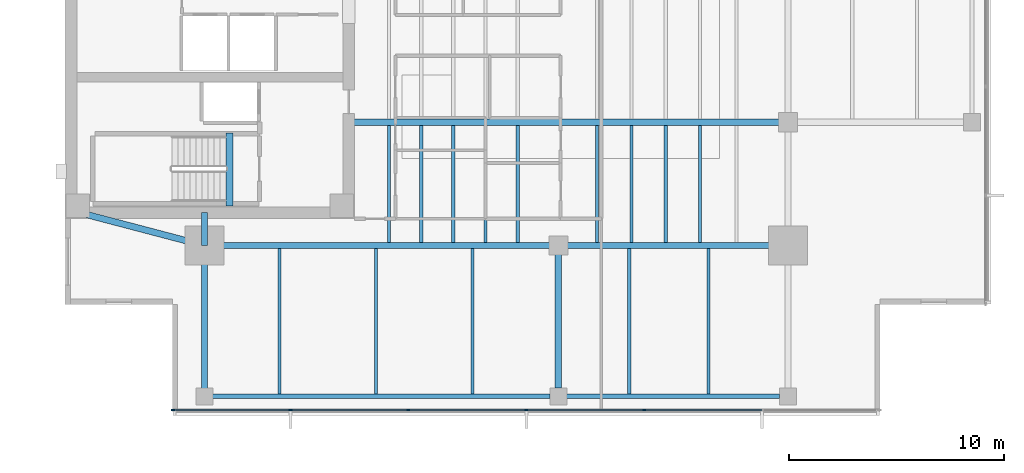
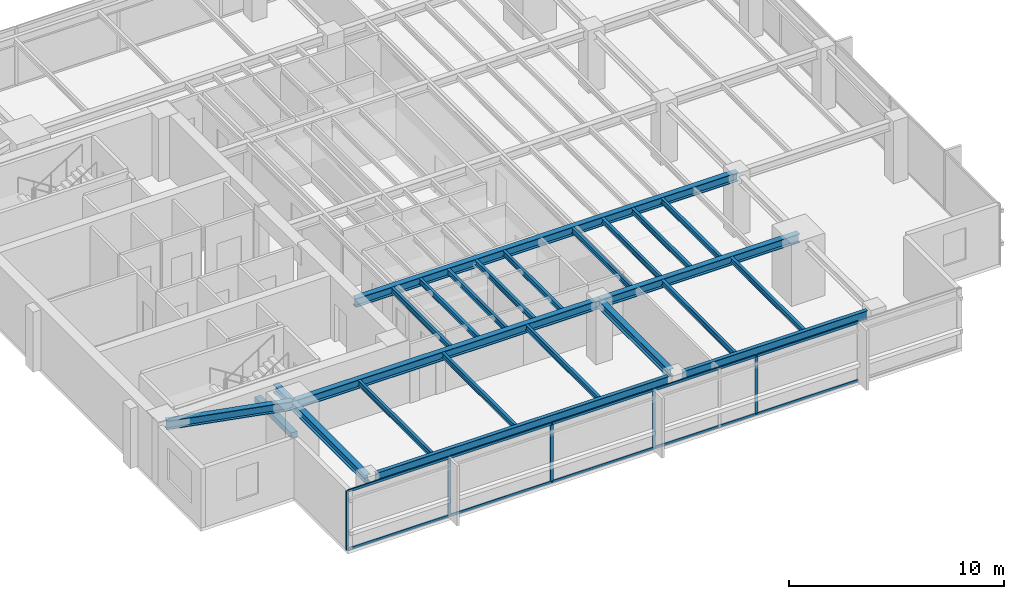
# One storey, part 2 of 14: 24 beams, 15 members, 1 element without a shape of its own.
"""IFC4 building model written with IfcOpenShell, lengths in metres."""

from ifc_helpers import new_model, si_unit, direction, frame, origin, origin_2d, place, context, subcontext, project, spatial, rectangle, i_section, extrude, material, layer, layer_set, material_profile, profile_set, type_object, element, aggregate, save


model = new_model("IFC4")

# Units and contexts
model_context = context("Model", 3, precision=1e-05, world=origin(), true_north=direction((0.0, 1.0)))
body_context = subcontext(model_context, "Body", "Model", "MODEL_VIEW")
ifc_project = project(units=[si_unit("LENGTHUNIT", "METRE"), si_unit("AREAUNIT", "SQUARE_METRE"), si_unit("VOLUMEUNIT", "CUBIC_METRE"), si_unit("PLANEANGLEUNIT", "RADIAN"), si_unit("MASSUNIT", "GRAM", prefix="KILO")], contexts=[model_context])

# Site, building, storey
site_placement = place(None, origin())
site = spatial("IfcSite", under=ifc_project, at=site_placement, CompositionType="ELEMENT")
building_placement = place(site_placement, origin())
building = spatial("IfcBuilding", under=site, at=building_placement, Name="Kinhvarn Gate Tower", CompositionType="ELEMENT")
storey_placement = place(building_placement, frame((0.0, 0.0, 198.699951171875)))
storey = spatial("IfcBuildingStorey", under=building, at=storey_placement, Name="L52", CompositionType="ELEMENT", Elevation=198.699951171875)

# Beam
ifc_material_1 = material(Name="Concrete C50/60", Category="concrete")
ifc_material_profile_1 = material_profile(ifc_material_1, rectangle(XDim=0.340087890625, YDim=0.320068359375, at=origin_2d()), Name="RC 340x320")
ifc_profile_set_1 = profile_set([ifc_material_profile_1], Name="Concrete C50/60")
beam_type_1 = type_object("IfcBeamType", Name="BM-LND-500", PredefinedType="BEAM", material=ifc_profile_set_1)
beam_1_placement = place(storey_placement, frame((12.1650390625, 14.60009765625, -0.159912109375), z_axis=(0.0, 1.0, 0.0), x_axis=(-1.0, 0.0, 0.0)))
element("IfcBeam", 1, at=beam_1_placement, inside=storey, type_object=beam_type_1, Name="Stair ST1 Landing Nosing Beam (L52)", PredefinedType="BEAM", context=body_context, shape_type="SweptSolid", body=[
    extrude(rectangle(XDim=0.340087890625, YDim=0.320068359375, at=origin_2d()), origin(), (0.0, 0.0, 1.0), 3.39990234375),
])

# Curtain wall, members
ifc_material_2 = material(Name="Anodised aluminium AW-6063", Category="aluminium")
ifc_layer = layer(ifc_material_2, 0.179931640625)
ifc_layer_set = layer_set([ifc_layer], Name="Anodised aluminium AW-6063")
curtain_wall_type = type_object("IfcCurtainWallType", Name="CW-SYS-3", PredefinedType="NOTDEFINED", material=ifc_layer_set)
curtain_wall_placement = place(storey_placement, origin())
curtain_wall = element("IfcCurtainWall", 2, at=curtain_wall_placement, inside=storey, type_object=curtain_wall_type, Name="Curtain Wall CW3 (L52)", PredefinedType="NOTDEFINED")
ifc_material_profile_2 = material_profile(ifc_material_2, rectangle(XDim=0.06494140625, YDim=0.159912109375, at=origin_2d()), Name="ALU 65x160")
ifc_profile_set_2 = profile_set([ifc_material_profile_2], Name="Anodised aluminium AW-6063")
member_type_1 = type_object("IfcMemberType", Name="CW-MUL-160", PredefinedType="MULLION", material=ifc_profile_set_2)
member_1_placement = place(storey_placement, frame((9.532470703125, 5.090087890625, 0.0), z_axis=(0.0, 0.0, 1.0), x_axis=(0.0, 1.0, 0.0)))
member_1 = element("IfcMember", 3, at=member_1_placement, type_object=member_type_1, Name="CW3 mullion 1", PredefinedType="MULLION", context=body_context, shape_type="SweptSolid", body=[
    extrude(rectangle(XDim=0.06494140625, YDim=0.159912109375, at=origin_2d()), origin(), (0.0, 0.0, 1.0), 3.3701171875),
])
member_2_placement = place(storey_placement, frame((15.0, 5.090087890625, 0.0), z_axis=(0.0, 0.0, 1.0), x_axis=(0.0, 1.0, 0.0)))
member_2 = element("IfcMember", 4, at=member_2_placement, type_object=member_type_1, Name="CW3 mullion 2", PredefinedType="MULLION", context=body_context, shape_type="SweptSolid", body=[
    extrude(rectangle(XDim=0.06494140625, YDim=0.159912109375, at=origin_2d()), origin(), (0.0, 0.0, 1.0), 3.3701171875),
])
member_3_placement = place(storey_placement, frame((20.5, 5.090087890625, 0.0), z_axis=(0.0, 0.0, 1.0), x_axis=(0.0, 1.0, 0.0)))
member_3 = element("IfcMember", 5, at=member_3_placement, type_object=member_type_1, Name="CW3 mullion 3", PredefinedType="MULLION", context=body_context, shape_type="SweptSolid", body=[
    extrude(rectangle(XDim=0.06494140625, YDim=0.159912109375, at=origin_2d()), origin(), (0.0, 0.0, 1.0), 3.3701171875),
])
member_4_placement = place(storey_placement, frame((26.0, 5.090087890625, 0.0), z_axis=(0.0, 0.0, 1.0), x_axis=(0.0, 1.0, 0.0)))
member_4 = element("IfcMember", 6, at=member_4_placement, type_object=member_type_1, Name="CW3 mullion 4", PredefinedType="MULLION", context=body_context, shape_type="SweptSolid", body=[
    extrude(rectangle(XDim=0.06494140625, YDim=0.159912109375, at=origin_2d()), origin(), (0.0, 0.0, 1.0), 3.3701171875),
])
member_5_placement = place(storey_placement, frame((31.5, 5.090087890625, 0.0), z_axis=(0.0, 0.0, 1.0), x_axis=(0.0, 1.0, 0.0)))
member_5 = element("IfcMember", 7, at=member_5_placement, type_object=member_type_1, Name="CW3 mullion 5", PredefinedType="MULLION", context=body_context, shape_type="SweptSolid", body=[
    extrude(rectangle(XDim=0.06494140625, YDim=0.159912109375, at=origin_2d()), origin(), (0.0, 0.0, 1.0), 3.3701171875),
])
ifc_material_profile_3 = material_profile(ifc_material_2, rectangle(XDim=0.070068359375, YDim=0.139892578125, at=origin_2d()), Name="ALU 70x140")
ifc_profile_set_3 = profile_set([ifc_material_profile_3], Name="Anodised aluminium AW-6063")
member_type_2 = type_object("IfcMemberType", Name="CW-TRN-140", PredefinedType="USERDEFINED", material=ifc_profile_set_3)
member_6_placement = place(storey_placement, frame((9.56494140625, 5.090087890625, 0.03515625), z_axis=(1.0, 0.0, 0.0), x_axis=(0.0, 1.0, 0.0)))
member_6 = element("IfcMember", 8, at=member_6_placement, type_object=member_type_2, Name="CW3 transom 1.1", ObjectType="TRANSOM", PredefinedType="USERDEFINED", context=body_context, shape_type="SweptSolid", body=[
    extrude(rectangle(XDim=0.070068359375, YDim=0.139892578125, at=origin_2d()), origin(), (0.0, 0.0, 1.0), 5.402587890625),
])
member_7_placement = place(storey_placement, frame((9.56494140625, 5.090087890625, 3.3349609375), z_axis=(1.0, 0.0, 0.0), x_axis=(0.0, 1.0, 0.0)))
member_7 = element("IfcMember", 9, at=member_7_placement, type_object=member_type_2, Name="CW3 transom 1.2", ObjectType="TRANSOM", PredefinedType="USERDEFINED", context=body_context, shape_type="SweptSolid", body=[
    extrude(rectangle(XDim=0.070068359375, YDim=0.139892578125, at=origin_2d()), origin(), (0.0, 0.0, 1.0), 5.402587890625),
])
member_8_placement = place(storey_placement, frame((15.032470703125, 5.090087890625, 0.03515625), z_axis=(1.0, 0.0, 0.0), x_axis=(0.0, 1.0, 0.0)))
member_8 = element("IfcMember", 10, at=member_8_placement, type_object=member_type_2, Name="CW3 transom 2.1", ObjectType="TRANSOM", PredefinedType="USERDEFINED", context=body_context, shape_type="SweptSolid", body=[
    extrude(rectangle(XDim=0.070068359375, YDim=0.139892578125, at=origin_2d()), origin(), (0.0, 0.0, 1.0), 5.43505859375),
])
member_9_placement = place(storey_placement, frame((15.032470703125, 5.090087890625, 3.3349609375), z_axis=(1.0, 0.0, 0.0), x_axis=(0.0, 1.0, 0.0)))
member_9 = element("IfcMember", 11, at=member_9_placement, type_object=member_type_2, Name="CW3 transom 2.2", ObjectType="TRANSOM", PredefinedType="USERDEFINED", context=body_context, shape_type="SweptSolid", body=[
    extrude(rectangle(XDim=0.070068359375, YDim=0.139892578125, at=origin_2d()), origin(), (0.0, 0.0, 1.0), 5.43505859375),
])
member_10_placement = place(storey_placement, frame((20.532470703125, 5.090087890625, 0.03515625), z_axis=(1.0, 0.0, 0.0), x_axis=(0.0, 1.0, 0.0)))
member_10 = element("IfcMember", 12, at=member_10_placement, type_object=member_type_2, Name="CW3 transom 3.1", ObjectType="TRANSOM", PredefinedType="USERDEFINED", context=body_context, shape_type="SweptSolid", body=[
    extrude(rectangle(XDim=0.070068359375, YDim=0.139892578125, at=origin_2d()), origin(), (0.0, 0.0, 1.0), 5.43505859375),
])
member_11_placement = place(storey_placement, frame((20.532470703125, 5.090087890625, 3.3349609375), z_axis=(1.0, 0.0, 0.0), x_axis=(0.0, 1.0, 0.0)))
member_11 = element("IfcMember", 13, at=member_11_placement, type_object=member_type_2, Name="CW3 transom 3.2", ObjectType="TRANSOM", PredefinedType="USERDEFINED", context=body_context, shape_type="SweptSolid", body=[
    extrude(rectangle(XDim=0.070068359375, YDim=0.139892578125, at=origin_2d()), origin(), (0.0, 0.0, 1.0), 5.43505859375),
])
member_12_placement = place(storey_placement, frame((26.032470703125, 5.090087890625, 0.03515625), z_axis=(1.0, 0.0, 0.0), x_axis=(0.0, 1.0, 0.0)))
member_12 = element("IfcMember", 14, at=member_12_placement, type_object=member_type_2, Name="CW3 transom 4.1", ObjectType="TRANSOM", PredefinedType="USERDEFINED", context=body_context, shape_type="SweptSolid", body=[
    extrude(rectangle(XDim=0.070068359375, YDim=0.139892578125, at=origin_2d()), origin(), (0.0, 0.0, 1.0), 5.43505859375),
])
member_13_placement = place(storey_placement, frame((26.032470703125, 5.090087890625, 3.3349609375), z_axis=(1.0, 0.0, 0.0), x_axis=(0.0, 1.0, 0.0)))
member_13 = element("IfcMember", 15, at=member_13_placement, type_object=member_type_2, Name="CW3 transom 4.2", ObjectType="TRANSOM", PredefinedType="USERDEFINED", context=body_context, shape_type="SweptSolid", body=[
    extrude(rectangle(XDim=0.070068359375, YDim=0.139892578125, at=origin_2d()), origin(), (0.0, 0.0, 1.0), 5.43505859375),
])
member_14_placement = place(storey_placement, frame((31.532470703125, 5.090087890625, 0.03515625), z_axis=(1.0, 0.0, 0.0), x_axis=(0.0, 1.0, 0.0)))
member_14 = element("IfcMember", 16, at=member_14_placement, type_object=member_type_2, Name="CW3 transom 5.1", ObjectType="TRANSOM", PredefinedType="USERDEFINED", context=body_context, shape_type="SweptSolid", body=[
    extrude(rectangle(XDim=0.070068359375, YDim=0.139892578125, at=origin_2d()), origin(), (0.0, 0.0, 1.0), 5.43505859375),
])
member_15_placement = place(storey_placement, frame((31.532470703125, 5.090087890625, 3.3349609375), z_axis=(1.0, 0.0, 0.0), x_axis=(0.0, 1.0, 0.0)))
member_15 = element("IfcMember", 17, at=member_15_placement, type_object=member_type_2, Name="CW3 transom 5.2", ObjectType="TRANSOM", PredefinedType="USERDEFINED", context=body_context, shape_type="SweptSolid", body=[
    extrude(rectangle(XDim=0.070068359375, YDim=0.139892578125, at=origin_2d()), origin(), (0.0, 0.0, 1.0), 5.43505859375),
])
aggregate(curtain_wall, [member_1, member_2, member_3, member_4, member_5, member_6, member_7, member_8, member_9, member_10, member_11, member_12, member_13, member_14, member_15])

# Beams
ifc_material_3 = material(Name="Steel S355", Category="steel")
ifc_material_profile_4 = material_profile(ifc_material_3, i_section(OverallWidth=0.300048828125, OverallDepth=0.449951171875, WebThickness=0.013916015625, FlangeThickness=0.02587890625, at=origin_2d()), Name="HEB 450")
ifc_profile_set_4 = profile_set([ifc_material_profile_4], Name="Steel S355")
beam_type_2 = type_object("IfcBeamType", Name="STL-HEB450", PredefinedType="BEAM", material=ifc_profile_set_4)
beam_2_placement = place(storey_placement, frame((11.0, 5.719970703125, 3.14501953125), z_axis=(0.0, 1.0, 0.0), x_axis=(-1.0, 0.0, 0.0)))
element("IfcBeam", 18, at=beam_2_placement, inside=storey, type_object=beam_type_2, Name="Floor Beam PG-13 (L52 MCW-S)", PredefinedType="BEAM", context=body_context, shape_type="SweptSolid", body=[
    extrude(i_section(OverallWidth=0.300048828125, OverallDepth=0.449951171875, WebThickness=0.013916015625, FlangeThickness=0.02587890625, at=origin_2d()), origin(), (0.0, 0.0, 1.0), 7.030029296875),
])
beam_3_placement = place(storey_placement, frame((11.0, 12.75, 3.14501953125), z_axis=(0.0, 1.0, 0.0), x_axis=(-1.0, 0.0, 0.0)))
element("IfcBeam", 19, at=beam_3_placement, inside=storey, type_object=beam_type_2, Name="Floor Beam PG-13 (L52 MCW-CS)", PredefinedType="BEAM", context=body_context, shape_type="SweptSolid", body=[
    extrude(i_section(OverallWidth=0.300048828125, OverallDepth=0.449951171875, WebThickness=0.013916015625, FlangeThickness=0.02587890625, at=origin_2d()), origin(), (0.0, 0.0, 1.0), 1.550048828125),
])
beam_4_placement = place(storey_placement, frame((27.5, 6.10498046875, 3.14501953125), z_axis=(0.0, 1.0, 0.0), x_axis=(-1.0, 0.0, 0.0)))
element("IfcBeam", 20, at=beam_4_placement, inside=storey, type_object=beam_type_2, Name="Floor Beam PG-13 (L52 SP27-S-TIE)", PredefinedType="BEAM", context=body_context, shape_type="SweptSolid", body=[
    extrude(i_section(OverallWidth=0.300048828125, OverallDepth=0.449951171875, WebThickness=0.013916015625, FlangeThickness=0.02587890625, at=origin_2d()), origin(), (0.0, 0.0, 1.0), 6.64501953125),
])
ifc_material_profile_5 = material_profile(ifc_material_3, i_section(OverallWidth=0.300048828125, OverallDepth=0.5, WebThickness=0.014404296875, FlangeThickness=0.028076171875, at=origin_2d()), Name="HEB 500")
ifc_profile_set_5 = profile_set([ifc_material_profile_5], Name="Steel S355")
beam_type_3 = type_object("IfcBeamType", Name="STL-HEB500", PredefinedType="BEAM", material=ifc_profile_set_5)
beam_5_placement = place(storey_placement, frame((11.0, 12.75, 3.1201171875), z_axis=(1.0, 0.0, 0.0), x_axis=(0.0, 1.0, 0.0)))
element("IfcBeam", 21, at=beam_5_placement, inside=storey, type_object=beam_type_3, Name="Floor Beam PG-14 (L52 MG-S1)", PredefinedType="BEAM", context=body_context, shape_type="SweptSolid", body=[
    extrude(i_section(OverallWidth=0.300048828125, OverallDepth=0.5, WebThickness=0.014404296875, FlangeThickness=0.028076171875, at=origin_2d()), origin(), (0.0, 0.0, 1.0), 16.5),
])
beam_6_placement = place(storey_placement, frame((27.5, 12.75, 3.1201171875), z_axis=(1.0, 0.0, 0.0), x_axis=(0.0, 1.0, 0.0)))
element("IfcBeam", 22, at=beam_6_placement, inside=storey, type_object=beam_type_3, Name="Floor Beam PG-14 (L52 MG-S2)", PredefinedType="BEAM", context=body_context, shape_type="SweptSolid", body=[
    extrude(i_section(OverallWidth=0.300048828125, OverallDepth=0.5, WebThickness=0.014404296875, FlangeThickness=0.028076171875, at=origin_2d()), origin(), (0.0, 0.0, 1.0), 10.699951171875),
])
beam_7_placement = place(storey_placement, frame((5.10009765625, 14.300048828125, 3.1201171875), z_axis=(0.967177623957, -0.254101246979, 0.0), x_axis=(0.254101246979, 0.967177623957, 0.0)))
element("IfcBeam", 23, at=beam_7_placement, inside=storey, type_object=beam_type_3, Name="Floor Beam PG-14 (L52 MG-SW-DIAG)", PredefinedType="BEAM", context=body_context, shape_type="SweptSolid", body=[
    extrude(i_section(OverallWidth=0.300048828125, OverallDepth=0.5, WebThickness=0.014404296875, FlangeThickness=0.028076171875, at=origin_2d()), origin(), (0.0, 0.0, 1.0), 6.10009765625),
])
beam_8_placement = place(storey_placement, frame((17.64990234375, 18.5, 3.1201171875), z_axis=(1.0, 0.0, 0.0), x_axis=(0.0, 1.0, 0.0)))
element("IfcBeam", 24, at=beam_8_placement, inside=storey, type_object=beam_type_3, Name="Floor Beam PG-14 (L52 EW1-Y18)", PredefinedType="BEAM", context=body_context, shape_type="SweptSolid", body=[
    extrude(i_section(OverallWidth=0.300048828125, OverallDepth=0.5, WebThickness=0.014404296875, FlangeThickness=0.028076171875, at=origin_2d()), origin(), (0.0, 0.0, 1.0), 20.550048828125),
])
ifc_material_profile_6 = material_profile(ifc_material_3, i_section(OverallWidth=0.14990234375, OverallDepth=0.300048828125, WebThickness=0.007080078125, FlangeThickness=0.0107421875, at=origin_2d()), Name="IPE 300")
ifc_profile_set_6 = profile_set([ifc_material_profile_6], Name="Steel S355")
beam_type_4 = type_object("IfcBeamType", Name="STL-IPE300", PredefinedType="JOIST", material=ifc_profile_set_6)
for number, where, z_axis, x_axis, name in (
    (25, (19.60009765625, 12.89990234375, 3.219970703125), (0.0, 1.0, 0.0), (-1.0, 0.0, 0.0), "Floor Joist SB-02 (L52 JC-X196-0)"),
    (26, (21.10009765625, 12.89990234375, 3.219970703125), (0.0, 1.0, 0.0), (-1.0, 0.0, 0.0), "Floor Joist SB-02 (L52 JC-X211-0)"),
    (27, (22.60009765625, 12.89990234375, 3.219970703125), (0.0, 1.0, 0.0), (-1.0, 0.0, 0.0), "Floor Joist SB-02 (L52 JC-X226-0)"),
    (28, (24.10009765625, 12.89990234375, 3.219970703125), (0.0, 1.0, 0.0), (-1.0, 0.0, 0.0), "Floor Joist SB-02 (L52 JC-X241-0)"),
    (29, (25.60009765625, 12.89990234375, 3.219970703125), (0.0, 1.0, 0.0), (-1.0, 0.0, 0.0), "Floor Joist SB-02 (L52 JC-X256-0)"),
    (30, (29.300048828125, 12.89990234375, 3.219970703125), (0.0, 1.0, 0.0), (-1.0, 0.0, 0.0), "Floor Joist SB-02 (L52 JC-X293-0)"),
    (31, (30.89990234375, 12.89990234375, 3.219970703125), (0.0, 1.0, 0.0), (-1.0, 0.0, 0.0), "Floor Joist SB-02 (L52 JC-X309-0)"),
    (32, (32.5, 12.89990234375, 3.219970703125), (0.0, 1.0, 0.0), (-1.0, 0.0, 0.0), "Floor Joist SB-02 (L52 JC-X325-0)"),
    (33, (34.10009765625, 12.89990234375, 3.219970703125), (0.0, 1.0, 0.0), (-1.0, 0.0, 0.0), "Floor Joist SB-02 (L52 JC-X341-0)"),
):
    element("IfcBeam", number, at=place(storey_placement, frame(where, z_axis=z_axis, x_axis=x_axis)), inside=storey, type_object=beam_type_4, Name=name, PredefinedType="JOIST", context=body_context, shape_type="SweptSolid", body=[
        extrude(i_section(OverallWidth=0.14990234375, OverallDepth=0.300048828125, WebThickness=0.007080078125, FlangeThickness=0.0107421875, at=origin_2d()), origin(), (0.0, 0.0, 1.0), 5.4501953125),
    ])
for number, where, z_axis, x_axis, name in (
    (34, (14.5, 5.820068359375, 3.219970703125), (0.0, 1.0, 0.0), (-1.0, 0.0, 0.0), "Floor Joist SB-02 (L52 JS-X145)"),
    (35, (19.0, 5.820068359375, 3.219970703125), (0.0, 1.0, 0.0), (-1.0, 0.0, 0.0), "Floor Joist SB-02 (L52 JS-X190)"),
    (36, (23.5, 5.820068359375, 3.219970703125), (0.0, 1.0, 0.0), (-1.0, 0.0, 0.0), "Floor Joist SB-02 (L52 JS-X235)"),
    (37, (30.800048828125, 5.820068359375, 3.219970703125), (0.0, 1.0, 0.0), (-1.0, 0.0, 0.0), "Floor Joist SB-02 (L52 JS-X308)"),
    (38, (34.5, 5.820068359375, 3.219970703125), (0.0, 1.0, 0.0), (-1.0, 0.0, 0.0), "Floor Joist SB-02 (L52 JS-X345)"),
):
    element("IfcBeam", number, at=place(storey_placement, frame(where, z_axis=z_axis, x_axis=x_axis)), inside=storey, type_object=beam_type_4, Name=name, PredefinedType="JOIST", context=body_context, shape_type="SweptSolid", body=[
        extrude(i_section(OverallWidth=0.14990234375, OverallDepth=0.300048828125, WebThickness=0.007080078125, FlangeThickness=0.0107421875, at=origin_2d()), origin(), (0.0, 0.0, 1.0), 6.780029296875),
    ])
ifc_material_profile_7 = material_profile(ifc_material_3, i_section(OverallWidth=0.199951171875, OverallDepth=0.5, WebThickness=0.01025390625, FlangeThickness=0.01611328125, at=origin_2d()), Name="IPE 500")
ifc_profile_set_7 = profile_set([ifc_material_profile_7], Name="Steel S355")
beam_type_5 = type_object("IfcBeamType", Name="STL-IPE500", PredefinedType="SPANDREL", material=ifc_profile_set_7)
beam_9_placement = place(storey_placement, frame((11.385009765625, 5.719970703125, 3.1201171875), z_axis=(1.0, 0.0, 0.0), x_axis=(0.0, 1.0, 0.0)))
element("IfcBeam", 39, at=beam_9_placement, inside=storey, type_object=beam_type_5, Name="Floor Spandrel SB-07 (L52 SP-S1)", PredefinedType="SPANDREL", context=body_context, shape_type="SweptSolid", body=[
    extrude(i_section(OverallWidth=0.199951171875, OverallDepth=0.5, WebThickness=0.01025390625, FlangeThickness=0.01611328125, at=origin_2d()), origin(), (0.0, 0.0, 1.0), 15.72998046875),
])
beam_10_placement = place(storey_placement, frame((27.885009765625, 5.719970703125, 3.1201171875), z_axis=(1.0, 0.0, 0.0), x_axis=(0.0, 1.0, 0.0)))
element("IfcBeam", 40, at=beam_10_placement, inside=storey, type_object=beam_type_5, Name="Floor Spandrel SB-07 (L52 SP-S2)", PredefinedType="SPANDREL", context=body_context, shape_type="SweptSolid", body=[
    extrude(i_section(OverallWidth=0.199951171875, OverallDepth=0.5, WebThickness=0.01025390625, FlangeThickness=0.01611328125, at=origin_2d()), origin(), (0.0, 0.0, 1.0), 9.929931640625),
])

save(model, "model.ifc")
